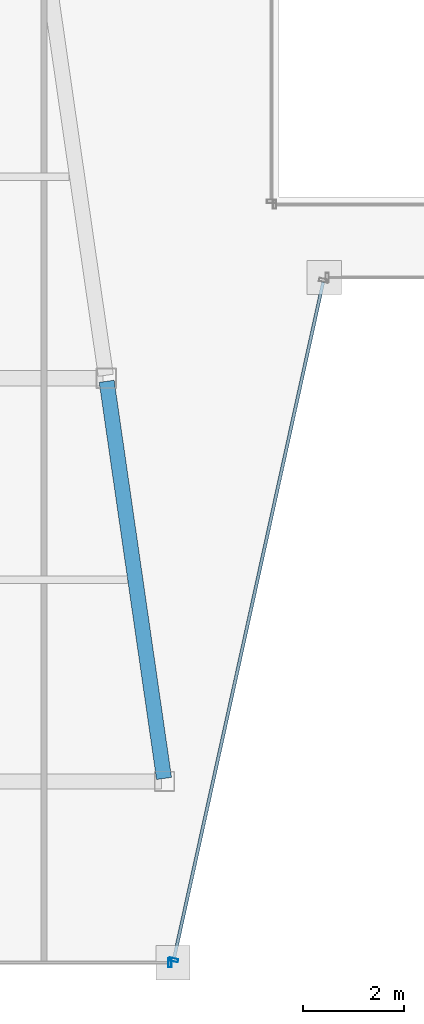
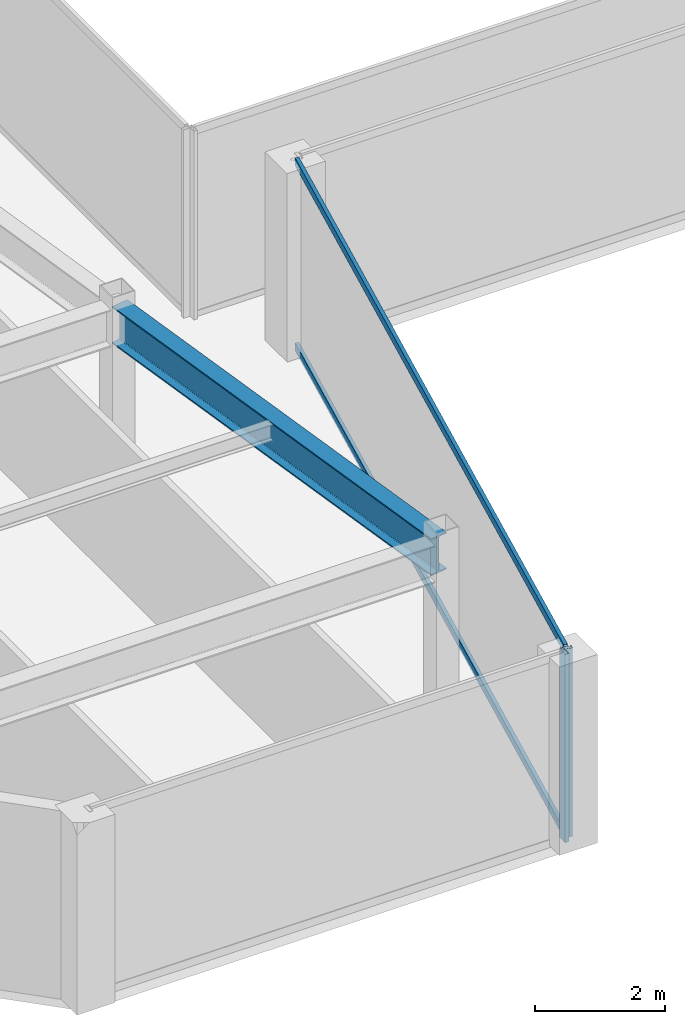
# One storey, part 6 of 36: 4 members, 1 beam, 2 elements without a shape of their own.
"""IFC4 building model written with IfcOpenShell, lengths in metres."""

from ifc_helpers import new_model, si_unit, direction, frame, origin, origin_2d, place, context, subcontext, project, spatial, hollow_rectangle, i_section, extrude, material, material_profile, profile_set, type_object, element, aggregate, save


model = new_model("IFC4")

# Units and contexts
model_context = context("Model", 3, precision=1e-05, world=origin(), true_north=direction((0.0, 1.0)))
body_context = subcontext(model_context, "Body", "Model", "MODEL_VIEW")
ifc_project = project(units=[si_unit("LENGTHUNIT", "METRE"), si_unit("AREAUNIT", "SQUARE_METRE"), si_unit("VOLUMEUNIT", "CUBIC_METRE"), si_unit("PLANEANGLEUNIT", "RADIAN"), si_unit("MASSUNIT", "GRAM", prefix="KILO")], contexts=[model_context])

# Site, building, storey
site_placement = place(None, origin())
site = spatial("IfcSite", under=ifc_project, at=site_placement, CompositionType="ELEMENT")
building_placement = place(site_placement, origin())
building = spatial("IfcBuilding", under=site, at=building_placement, Name="Saevonmaru Cultural Tower", CompositionType="ELEMENT")
storey_placement = place(building_placement, frame((0.0, 0.0, 198.0)))
storey = spatial("IfcBuildingStorey", under=building, at=storey_placement, Name="L45", CompositionType="ELEMENT", Elevation=198.0)

# Beam
ifc_material_1 = material(Name="Steel SM355", Category="steel")
ifc_material_profile_1 = material_profile(ifc_material_1, i_section(OverallWidth=0.300048828125, OverallDepth=0.699951171875, WebThickness=0.012939453125, FlangeThickness=0.02392578125, FilletRadius=0.02587890625, at=origin_2d()), Name="H-700x300x13x24")
ifc_profile_set_1 = profile_set([ifc_material_profile_1], Name="Steel SM355")
beam_type = type_object("IfcBeamType", Name="BM-G-H700", PredefinedType="BEAM", material=ifc_profile_set_1)
beam_placement = place(storey_placement, frame((21.91943359375, 16.059326171875, 3.199951171875), z_axis=(-0.143022161059, 0.989719486241, 0.0), x_axis=(-0.989719486241, -0.143022161059, 0.0)))
element("IfcBeam", 1, at=beam_placement, inside=storey, type_object=beam_type, Name="L45 West Atrium Girder 1", PredefinedType="BEAM", context=body_context, shape_type="SweptSolid", body=[
    extrude(i_section(OverallWidth=0.300048828125, OverallDepth=0.699951171875, WebThickness=0.012939453125, FlangeThickness=0.02392578125, FilletRadius=0.02587890625, at=origin_2d()), origin(), (0.0, 0.0, 1.0), 7.963134765625),
])

# Curtain wall, member
ifc_material_2 = material(Name="Satin Bronze Anodised Aluminium", Category="aluminium")
curtain_wall_type = type_object("IfcCurtainWallType", Name="CW-TYP-B", PredefinedType="NOTDEFINED", material=ifc_material_2)
curtain_wall_1_placement = place(storey_placement, origin())
curtain_wall_1 = element("IfcCurtainWall", 2, at=curtain_wall_1_placement, inside=storey, type_object=curtain_wall_type, Name="L45 Unitised Curtain Wall E2", PredefinedType="NOTDEFINED")
ifc_material_profile_2 = material_profile(ifc_material_2, hollow_rectangle(XDim=0.06494140625, YDim=0.179931640625, WallThickness=0.00390625, at=origin_2d()), Name="ALU-MULL-180x65x4")
ifc_profile_set_2 = profile_set([ifc_material_profile_2], Name="Satin Bronze Anodised Aluminium")
member_type_1 = type_object("IfcMemberType", Name="ML-CW-180x65", PredefinedType="MULLION", material=ifc_profile_set_2)
member_1_placement = place(storey_placement, frame((22.037841796875, 12.39990234375, 0.0), z_axis=(0.0, 0.0, 1.0), x_axis=(1.0, 0.0, 0.0)))
member_1 = element("IfcMember", 3, at=member_1_placement, type_object=member_type_1, Name="CW-TW-L45-E2 mullion 2", PredefinedType="MULLION", context=body_context, shape_type="SweptSolid", body=[
    extrude(hollow_rectangle(XDim=0.06494140625, YDim=0.179931640625, WallThickness=0.00390625, at=origin_2d()), origin(), (0.0, 0.0, 1.0), 3.550048828125),
])
aggregate(curtain_wall_1, [member_1])

# Curtain wall, members
curtain_wall_2_placement = place(storey_placement, origin())
curtain_wall_2 = element("IfcCurtainWall", 4, at=curtain_wall_2_placement, inside=storey, type_object=curtain_wall_type, Name="L45 Unitised Curtain Wall E3", PredefinedType="NOTDEFINED")
member_2_placement = place(storey_placement, frame((22.110595703125, 12.45849609375, 0.0), z_axis=(0.0, 0.0, 1.0), x_axis=(0.215413319953, 0.976522965212, 0.0)))
member_2 = element("IfcMember", 5, at=member_2_placement, type_object=member_type_1, Name="CW-TW-L45-E3 mullion 1", PredefinedType="MULLION", context=body_context, shape_type="SweptSolid", body=[
    extrude(hollow_rectangle(XDim=0.06494140625, YDim=0.179931640625, WallThickness=0.00390625, at=origin_2d()), origin(), (0.0, 0.0, 1.0), 3.550048828125),
])
ifc_material_profile_3 = material_profile(ifc_material_2, hollow_rectangle(XDim=0.06494140625, YDim=0.14990234375, WallThickness=0.00390625, at=origin_2d()), Name="ALU-TRAN-150x65x4")
ifc_profile_set_3 = profile_set([ifc_material_profile_3], Name="Satin Bronze Anodised Aluminium")
member_type_2 = type_object("IfcMemberType", Name="TR-CW-150x65", PredefinedType="USERDEFINED", material=ifc_profile_set_3)
member_3_placement = place(storey_placement, frame((22.11767578125, 12.490234375, 0.032470703125), z_axis=(0.21541214732, 0.976523223885, 0.0), x_axis=(-0.976523223885, 0.21541214732, 0.0)))
member_3 = element("IfcMember", 6, at=member_3_placement, type_object=member_type_2, Name="CW-TW-L45-E3 transom 1.1", ObjectType="TRANSOM", PredefinedType="USERDEFINED", context=body_context, shape_type="SweptSolid", body=[
    extrude(hollow_rectangle(XDim=0.06494140625, YDim=0.14990234375, WallThickness=0.00390625, at=origin_2d()), origin(), (0.0, 0.0, 1.0), 13.741943359375),
])
member_4_placement = place(storey_placement, frame((22.11767578125, 12.490234375, 3.517578125), z_axis=(0.21541214732, 0.976523223885, 0.0), x_axis=(-0.976523223885, 0.21541214732, 0.0)))
member_4 = element("IfcMember", 7, at=member_4_placement, type_object=member_type_2, Name="CW-TW-L45-E3 transom 1.2", ObjectType="TRANSOM", PredefinedType="USERDEFINED", context=body_context, shape_type="SweptSolid", body=[
    extrude(hollow_rectangle(XDim=0.06494140625, YDim=0.14990234375, WallThickness=0.00390625, at=origin_2d()), origin(), (0.0, 0.0, 1.0), 13.741943359375),
])
aggregate(curtain_wall_2, [member_2, member_3, member_4])

save(model, "model.ifc")
